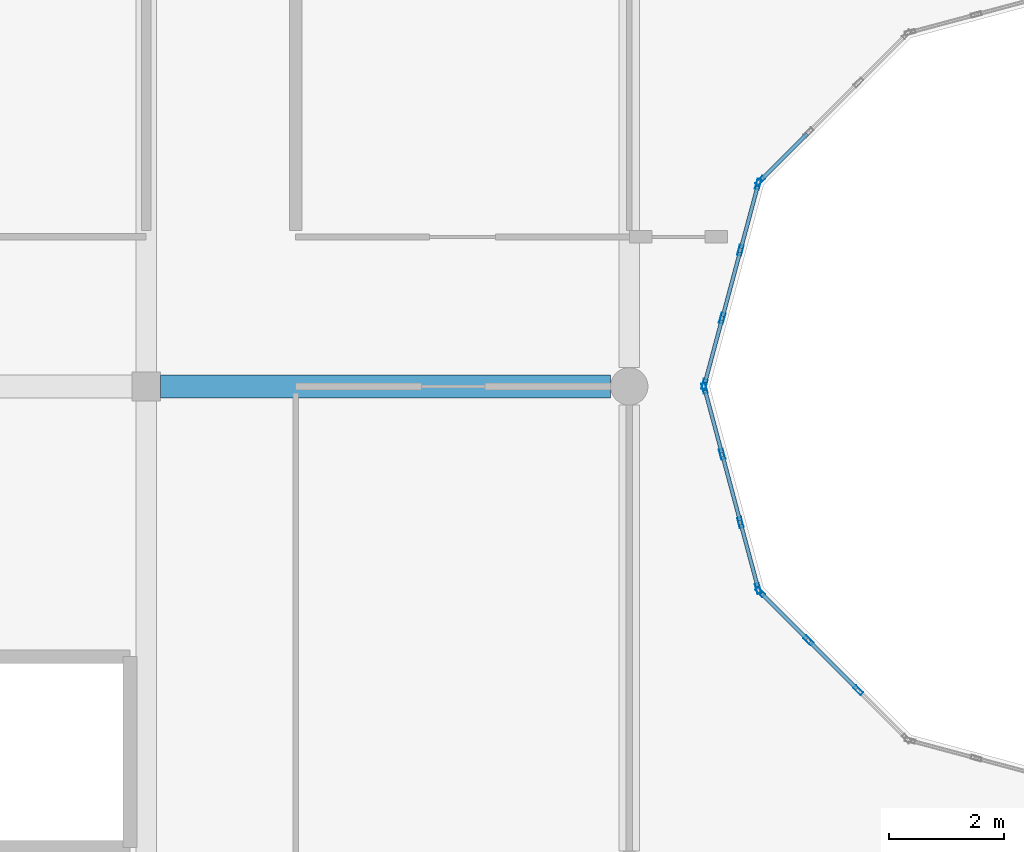
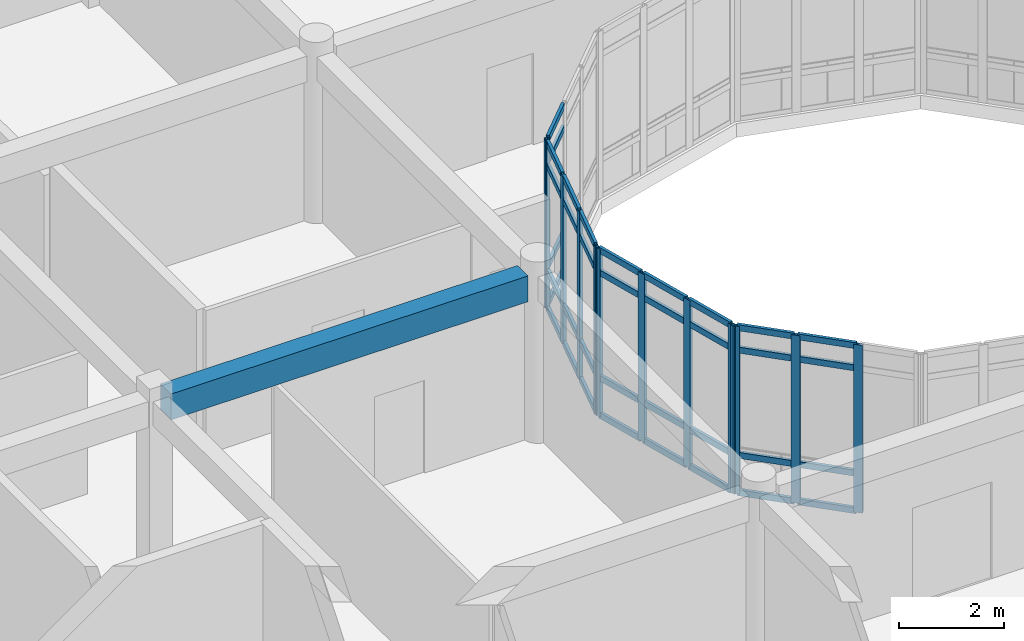
# One storey, part 30 of 119: 48 members, 1 beam, 4 elements without a shape of their own.
"""IFC4 building model written with IfcOpenShell, lengths in metres."""

from ifc_helpers import new_model, si_unit, direction, frame, origin, origin_2d, place, context, subcontext, project, spatial, rectangle, hollow_rectangle, extrude, material, layer, layer_set, material_profile, profile_set, type_object, element, aggregate, save


model = new_model("IFC4")

# Units and contexts
model_context = context("Model", 3, precision=1e-05, world=origin(), true_north=direction((0.0, 1.0)))
body_context = subcontext(model_context, "Body", "Model", "MODEL_VIEW")
ifc_project = project(units=[si_unit("LENGTHUNIT", "METRE"), si_unit("AREAUNIT", "SQUARE_METRE"), si_unit("VOLUMEUNIT", "CUBIC_METRE"), si_unit("PLANEANGLEUNIT", "RADIAN"), si_unit("MASSUNIT", "GRAM", prefix="KILO")], contexts=[model_context])

# Site, building, storey
site_placement = place(None, origin())
site = spatial("IfcSite", under=ifc_project, at=site_placement, CompositionType="ELEMENT")
building_placement = place(site_placement, origin())
building = spatial("IfcBuilding", under=site, at=building_placement, Name="Bramfleet General Hospital", CompositionType="ELEMENT")
storey_placement = place(building_placement, frame((0.0, 0.0, 14.39990234375)))
storey = spatial("IfcBuildingStorey", under=building, at=storey_placement, Name="L03", CompositionType="ELEMENT", Elevation=14.39990234375)

# Beam
ifc_material_1 = material(Name="Concrete C35/45", Category="concrete")
ifc_material_profile_1 = material_profile(ifc_material_1, rectangle(XDim=0.39990234375, YDim=0.60009765625, at=origin_2d()), Name="RC BM 600x400")
ifc_profile_set_1 = profile_set([ifc_material_profile_1], Name="Concrete C35/45")
beam_type = type_object("IfcBeamType", Name="BM-RC600", PredefinedType="BEAM", material=ifc_profile_set_1)
beam_placement = place(storey_placement, frame((67.449951171875, 75.60009765625, 3.590087890625), z_axis=(1.0, 0.0, 0.0), x_axis=(0.0, 1.0, 0.0)))
element("IfcBeam", 1, at=beam_placement, inside=storey, type_object=beam_type, Name="L03 Grid Beam X 08-09", PredefinedType="BEAM", context=body_context, shape_type="SweptSolid", body=[
    extrude(rectangle(XDim=0.39990234375, YDim=0.60009765625, at=origin_2d()), origin(), (0.0, 0.0, 1.0), 7.824951171875),
])

# Curtain wall, members
ifc_material_2 = material(Name="Anodised aluminium and low-E triple glazing", Category="aluminium")
ifc_layer_1 = layer(ifc_material_2, 0.179931640625, Name="CWT-CW-13")
ifc_layer_set_1 = layer_set([ifc_layer_1], Name="Anodised aluminium and low-E triple glazing")
curtain_wall_type_1 = type_object("IfcCurtainWallType", Name="CWT-CW-13", PredefinedType="USERDEFINED", material=ifc_layer_set_1)
curtain_wall_1_placement = place(storey_placement, origin())
curtain_wall_1 = element("IfcCurtainWall", 2, at=curtain_wall_1_placement, inside=storey, type_object=curtain_wall_type_1, Name="L03 Central Diagnostic Light Court Curtain Wall 1.1", ObjectType="Stick curtain wall", PredefinedType="USERDEFINED")
ifc_material_3 = material(Name="Anodised aluminium EN AW-6060", Category="aluminium")
ifc_material_profile_2 = material_profile(ifc_material_3, hollow_rectangle(XDim=0.070068359375, YDim=0.179931640625, WallThickness=0.00390625, at=origin_2d()), Name="ALU 180x70x4.0")
ifc_profile_set_2 = profile_set([ifc_material_profile_2], Name="Anodised aluminium EN AW-6060")
member_type_1 = type_object("IfcMemberType", Name="CWM-ALU180", PredefinedType="MULLION", material=ifc_profile_set_2)
member_1_placement = place(storey_placement, frame((76.908935546875, 75.566162109375, 0.0), z_axis=(0.0, 0.0, 1.0), x_axis=(0.965940765005, 0.258763286618, 0.0)))
member_1 = element("IfcMember", 3, at=member_1_placement, type_object=member_type_1, Name="CW-13 mullion 1", PredefinedType="MULLION", context=body_context, shape_type="SweptSolid", body=[
    extrude(hollow_rectangle(XDim=0.070068359375, YDim=0.179931640625, WallThickness=0.00390625, at=origin_2d()), origin(), (0.0, 0.0, 1.0), 3.89013671875),
])
member_2_placement = place(storey_placement, frame((77.217041015625, 74.416748046875, 0.0), z_axis=(0.0, 0.0, 1.0), x_axis=(0.965940765005, 0.258763286618, 0.0)))
member_2 = element("IfcMember", 4, at=member_2_placement, type_object=member_type_1, Name="CW-13 mullion 2", PredefinedType="MULLION", context=body_context, shape_type="SweptSolid", body=[
    extrude(hollow_rectangle(XDim=0.070068359375, YDim=0.179931640625, WallThickness=0.00390625, at=origin_2d()), origin(), (0.0, 0.0, 1.0), 3.89013671875),
])
member_3_placement = place(storey_placement, frame((77.533935546875, 73.2333984375, 0.0), z_axis=(0.0, 0.0, 1.0), x_axis=(0.965940765005, 0.258763286618, 0.0)))
member_3 = element("IfcMember", 5, at=member_3_placement, type_object=member_type_1, Name="CW-13 mullion 3", PredefinedType="MULLION", context=body_context, shape_type="SweptSolid", body=[
    extrude(hollow_rectangle(XDim=0.070068359375, YDim=0.179931640625, WallThickness=0.00390625, at=origin_2d()), origin(), (0.0, 0.0, 1.0), 3.89013671875),
])
member_4_placement = place(storey_placement, frame((77.842041015625, 72.083740234375, 0.0), z_axis=(0.0, 0.0, 1.0), x_axis=(0.965940765005, 0.258763286618, 0.0)))
member_4 = element("IfcMember", 6, at=member_4_placement, type_object=member_type_1, Name="CW-13 mullion 4", PredefinedType="MULLION", context=body_context, shape_type="SweptSolid", body=[
    extrude(hollow_rectangle(XDim=0.070068359375, YDim=0.179931640625, WallThickness=0.00390625, at=origin_2d()), origin(), (0.0, 0.0, 1.0), 3.89013671875),
])

ifc_layer_2 = layer(ifc_material_2, 0.179931640625, Name="CWT-CW-14")
ifc_layer_set_2 = layer_set([ifc_layer_2], Name="Anodised aluminium and low-E triple glazing")
curtain_wall_type_2 = type_object("IfcCurtainWallType", Name="CWT-CW-14", PredefinedType="USERDEFINED", material=ifc_layer_set_2)
curtain_wall_2_placement = place(storey_placement, origin())
curtain_wall_2 = element("IfcCurtainWall", 7, at=curtain_wall_2_placement, inside=storey, type_object=curtain_wall_type_2, Name="L03 Central Diagnostic Light Court Curtain Wall 2.1", ObjectType="Stick curtain wall", PredefinedType="USERDEFINED")
member_5_placement = place(storey_placement, frame((77.875732421875, 72.025146484375, 0.0), z_axis=(0.0, 0.0, 1.0), x_axis=(0.707106781187, 0.707106781187, 0.0)))
member_5 = element("IfcMember", 8, at=member_5_placement, type_object=member_type_1, Name="CW-14 mullion 1", PredefinedType="MULLION", context=body_context, shape_type="SweptSolid", body=[
    extrude(hollow_rectangle(XDim=0.070068359375, YDim=0.179931640625, WallThickness=0.00390625, at=origin_2d()), origin(), (0.0, 0.0, 1.0), 3.89013671875),
])
member_6_placement = place(storey_placement, frame((78.71728515625, 71.18359375, 0.0), z_axis=(0.0, 0.0, 1.0), x_axis=(0.707106781187, 0.707106781187, 0.0)))
member_6 = element("IfcMember", 9, at=member_6_placement, type_object=member_type_1, Name="CW-14 mullion 2", PredefinedType="MULLION", context=body_context, shape_type="SweptSolid", body=[
    extrude(hollow_rectangle(XDim=0.070068359375, YDim=0.179931640625, WallThickness=0.00390625, at=origin_2d()), origin(), (0.0, 0.0, 1.0), 3.89013671875),
])
member_7_placement = place(storey_placement, frame((79.583740234375, 70.3173828125, 0.0), z_axis=(0.0, 0.0, 1.0), x_axis=(0.707106781187, 0.707106781187, 0.0)))
member_7 = element("IfcMember", 10, at=member_7_placement, type_object=member_type_1, Name="CW-14 mullion 3", PredefinedType="MULLION", context=body_context, shape_type="SweptSolid", body=[
    extrude(hollow_rectangle(XDim=0.070068359375, YDim=0.179931640625, WallThickness=0.00390625, at=origin_2d()), origin(), (0.0, 0.0, 1.0), 3.89013671875),
])

# Curtain wall, member
ifc_layer_3 = layer(ifc_material_2, 0.179931640625, Name="CWT-CW-15")
ifc_layer_set_3 = layer_set([ifc_layer_3], Name="Anodised aluminium and low-E triple glazing")
curtain_wall_type_3 = type_object("IfcCurtainWallType", Name="CWT-CW-15", PredefinedType="USERDEFINED", material=ifc_layer_set_3)
curtain_wall_3_placement = place(storey_placement, origin())
curtain_wall_3 = element("IfcCurtainWall", 11, at=curtain_wall_3_placement, inside=storey, type_object=curtain_wall_type_3, Name="L03 Central Diagnostic Light Court Curtain Wall 11.1", ObjectType="Stick curtain wall", PredefinedType="USERDEFINED")
member_8_placement = place(storey_placement, frame((77.875732421875, 79.1748046875, 0.0), z_axis=(0.0, 0.0, 1.0), x_axis=(0.707106781187, -0.707106781187, 0.0)))
member_8 = element("IfcMember", 12, at=member_8_placement, type_object=member_type_1, Name="CW-15 mullion 4", PredefinedType="MULLION", context=body_context, shape_type="SweptSolid", body=[
    extrude(hollow_rectangle(XDim=0.070068359375, YDim=0.179931640625, WallThickness=0.00390625, at=origin_2d()), origin(), (0.0, 0.0, 1.0), 3.89013671875),
])

# Curtain wall, members
ifc_layer_4 = layer(ifc_material_2, 0.179931640625, Name="CWT-CW-16")
ifc_layer_set_4 = layer_set([ifc_layer_4], Name="Anodised aluminium and low-E triple glazing")
curtain_wall_type_4 = type_object("IfcCurtainWallType", Name="CWT-CW-16", PredefinedType="USERDEFINED", material=ifc_layer_set_4)
curtain_wall_4_placement = place(storey_placement, origin())
curtain_wall_4 = element("IfcCurtainWall", 13, at=curtain_wall_4_placement, inside=storey, type_object=curtain_wall_type_4, Name="L03 Central Diagnostic Light Court Curtain Wall 12.1", ObjectType="Stick curtain wall", PredefinedType="USERDEFINED")
member_9_placement = place(storey_placement, frame((77.842041015625, 79.1162109375, 0.0), z_axis=(0.0, 0.0, 1.0), x_axis=(0.965940765005, -0.258763286618, 0.0)))
member_9 = element("IfcMember", 14, at=member_9_placement, type_object=member_type_1, Name="CW-16 mullion 1", PredefinedType="MULLION", context=body_context, shape_type="SweptSolid", body=[
    extrude(hollow_rectangle(XDim=0.070068359375, YDim=0.179931640625, WallThickness=0.00390625, at=origin_2d()), origin(), (0.0, 0.0, 1.0), 3.89013671875),
])
member_10_placement = place(storey_placement, frame((77.533935546875, 77.966552734375, 0.0), z_axis=(0.0, 0.0, 1.0), x_axis=(0.965940765005, -0.258763286618, 0.0)))
member_10 = element("IfcMember", 15, at=member_10_placement, type_object=member_type_1, Name="CW-16 mullion 2", PredefinedType="MULLION", context=body_context, shape_type="SweptSolid", body=[
    extrude(hollow_rectangle(XDim=0.070068359375, YDim=0.179931640625, WallThickness=0.00390625, at=origin_2d()), origin(), (0.0, 0.0, 1.0), 3.89013671875),
])
member_11_placement = place(storey_placement, frame((77.217041015625, 76.783447265625, 0.0), z_axis=(0.0, 0.0, 1.0), x_axis=(0.965940765005, -0.258763286618, 0.0)))
member_11 = element("IfcMember", 16, at=member_11_placement, type_object=member_type_1, Name="CW-16 mullion 3", PredefinedType="MULLION", context=body_context, shape_type="SweptSolid", body=[
    extrude(hollow_rectangle(XDim=0.070068359375, YDim=0.179931640625, WallThickness=0.00390625, at=origin_2d()), origin(), (0.0, 0.0, 1.0), 3.89013671875),
])
member_12_placement = place(storey_placement, frame((76.908935546875, 75.6337890625, 0.0), z_axis=(0.0, 0.0, 1.0), x_axis=(0.965940765005, -0.258763286618, 0.0)))
member_12 = element("IfcMember", 17, at=member_12_placement, type_object=member_type_1, Name="CW-16 mullion 4", PredefinedType="MULLION", context=body_context, shape_type="SweptSolid", body=[
    extrude(hollow_rectangle(XDim=0.070068359375, YDim=0.179931640625, WallThickness=0.00390625, at=origin_2d()), origin(), (0.0, 0.0, 1.0), 3.89013671875),
])

# Member
ifc_material_profile_3 = material_profile(ifc_material_3, hollow_rectangle(XDim=0.06494140625, YDim=0.139892578125, WallThickness=0.00390625, at=origin_2d()), Name="ALU 140x65x4.0")
ifc_profile_set_3 = profile_set([ifc_material_profile_3], Name="Anodised aluminium EN AW-6060")
member_type_2 = type_object("IfcMemberType", Name="CWT-ALU140", PredefinedType="USERDEFINED", material=ifc_profile_set_3)
member_13_placement = place(storey_placement, frame((76.918212890625, 75.532470703125, 0.03271484375), z_axis=(0.25870703371, -0.965955832691, 0.0), x_axis=(0.965955832691, 0.25870703371, 0.0)))
member_13 = element("IfcMember", 18, at=member_13_placement, type_object=member_type_2, Name="CW-13 transom 1.1", ObjectType="TRANSOM", PredefinedType="USERDEFINED", context=body_context, shape_type="SweptSolid", body=[
    extrude(hollow_rectangle(XDim=0.06494140625, YDim=0.139892578125, WallThickness=0.00390625, at=origin_2d()), origin(), (0.0, 0.0, 1.0), 1.1201171875),
])

member_14_placement = place(storey_placement, frame((76.918212890625, 75.532470703125, 0.900146484375), z_axis=(0.25870703371, -0.965955832691, 0.0), x_axis=(0.965955832691, 0.25870703371, 0.0)))
member_14 = element("IfcMember", 19, at=member_14_placement, type_object=member_type_2, Name="CW-13 transom 1.2", ObjectType="TRANSOM", PredefinedType="USERDEFINED", context=body_context, shape_type="SweptSolid", body=[
    extrude(hollow_rectangle(XDim=0.06494140625, YDim=0.139892578125, WallThickness=0.00390625, at=origin_2d()), origin(), (0.0, 0.0, 1.0), 1.1201171875),
])

member_15_placement = place(storey_placement, frame((76.918212890625, 75.532470703125, 3.340087890625), z_axis=(0.25870703371, -0.965955832691, 0.0), x_axis=(0.965955832691, 0.25870703371, 0.0)))
member_15 = element("IfcMember", 20, at=member_15_placement, type_object=member_type_2, Name="CW-13 transom 1.3", ObjectType="TRANSOM", PredefinedType="USERDEFINED", context=body_context, shape_type="SweptSolid", body=[
    extrude(hollow_rectangle(XDim=0.06494140625, YDim=0.139892578125, WallThickness=0.00390625, at=origin_2d()), origin(), (0.0, 0.0, 1.0), 1.1201171875),
])

member_16_placement = place(storey_placement, frame((76.918212890625, 75.532470703125, 3.857666015625), z_axis=(0.25870703371, -0.965955832691, 0.0), x_axis=(0.965955832691, 0.25870703371, 0.0)))
member_16 = element("IfcMember", 21, at=member_16_placement, type_object=member_type_2, Name="CW-13 transom 1.4", ObjectType="TRANSOM", PredefinedType="USERDEFINED", context=body_context, shape_type="SweptSolid", body=[
    extrude(hollow_rectangle(XDim=0.06494140625, YDim=0.139892578125, WallThickness=0.00390625, at=origin_2d()), origin(), (0.0, 0.0, 1.0), 1.1201171875),
])

member_17_placement = place(storey_placement, frame((77.22607421875, 74.3828125, 0.03271484375), z_axis=(0.258714954608, -0.965953711242, 0.0), x_axis=(0.965953711242, 0.258714954608, 0.0)))
member_17 = element("IfcMember", 22, at=member_17_placement, type_object=member_type_2, Name="CW-13 transom 2.1", ObjectType="TRANSOM", PredefinedType="USERDEFINED", context=body_context, shape_type="SweptSolid", body=[
    extrude(hollow_rectangle(XDim=0.06494140625, YDim=0.139892578125, WallThickness=0.00390625, at=origin_2d()), origin(), (0.0, 0.0, 1.0), 1.155029296875),
])

member_18_placement = place(storey_placement, frame((77.22607421875, 74.3828125, 0.900146484375), z_axis=(0.258714954608, -0.965953711242, 0.0), x_axis=(0.965953711242, 0.258714954608, 0.0)))
member_18 = element("IfcMember", 23, at=member_18_placement, type_object=member_type_2, Name="CW-13 transom 2.2", ObjectType="TRANSOM", PredefinedType="USERDEFINED", context=body_context, shape_type="SweptSolid", body=[
    extrude(hollow_rectangle(XDim=0.06494140625, YDim=0.139892578125, WallThickness=0.00390625, at=origin_2d()), origin(), (0.0, 0.0, 1.0), 1.155029296875),
])

member_19_placement = place(storey_placement, frame((77.22607421875, 74.3828125, 3.340087890625), z_axis=(0.258714954608, -0.965953711242, 0.0), x_axis=(0.965953711242, 0.258714954608, 0.0)))
member_19 = element("IfcMember", 24, at=member_19_placement, type_object=member_type_2, Name="CW-13 transom 2.3", ObjectType="TRANSOM", PredefinedType="USERDEFINED", context=body_context, shape_type="SweptSolid", body=[
    extrude(hollow_rectangle(XDim=0.06494140625, YDim=0.139892578125, WallThickness=0.00390625, at=origin_2d()), origin(), (0.0, 0.0, 1.0), 1.155029296875),
])

member_20_placement = place(storey_placement, frame((77.22607421875, 74.3828125, 3.857666015625), z_axis=(0.258714954608, -0.965953711242, 0.0), x_axis=(0.965953711242, 0.258714954608, 0.0)))
member_20 = element("IfcMember", 25, at=member_20_placement, type_object=member_type_2, Name="CW-13 transom 2.4", ObjectType="TRANSOM", PredefinedType="USERDEFINED", context=body_context, shape_type="SweptSolid", body=[
    extrude(hollow_rectangle(XDim=0.06494140625, YDim=0.139892578125, WallThickness=0.00390625, at=origin_2d()), origin(), (0.0, 0.0, 1.0), 1.155029296875),
])

member_21_placement = place(storey_placement, frame((77.54296875, 73.199462890625, 0.03271484375), z_axis=(0.258964892978, -0.965886734667, 0.0), x_axis=(0.965886734667, 0.258964892978, 0.0)))
member_21 = element("IfcMember", 26, at=member_21_placement, type_object=member_type_2, Name="CW-13 transom 3.1", ObjectType="TRANSOM", PredefinedType="USERDEFINED", context=body_context, shape_type="SweptSolid", body=[
    extrude(hollow_rectangle(XDim=0.06494140625, YDim=0.139892578125, WallThickness=0.00390625, at=origin_2d()), origin(), (0.0, 0.0, 1.0), 1.119873046875),
])

member_22_placement = place(storey_placement, frame((77.54296875, 73.199462890625, 0.900146484375), z_axis=(0.258964892978, -0.965886734667, 0.0), x_axis=(0.965886734667, 0.258964892978, 0.0)))
member_22 = element("IfcMember", 27, at=member_22_placement, type_object=member_type_2, Name="CW-13 transom 3.2", ObjectType="TRANSOM", PredefinedType="USERDEFINED", context=body_context, shape_type="SweptSolid", body=[
    extrude(hollow_rectangle(XDim=0.06494140625, YDim=0.139892578125, WallThickness=0.00390625, at=origin_2d()), origin(), (0.0, 0.0, 1.0), 1.119873046875),
])

member_23_placement = place(storey_placement, frame((77.54296875, 73.199462890625, 3.340087890625), z_axis=(0.258964892978, -0.965886734667, 0.0), x_axis=(0.965886734667, 0.258964892978, 0.0)))
member_23 = element("IfcMember", 28, at=member_23_placement, type_object=member_type_2, Name="CW-13 transom 3.3", ObjectType="TRANSOM", PredefinedType="USERDEFINED", context=body_context, shape_type="SweptSolid", body=[
    extrude(hollow_rectangle(XDim=0.06494140625, YDim=0.139892578125, WallThickness=0.00390625, at=origin_2d()), origin(), (0.0, 0.0, 1.0), 1.119873046875),
])

member_24_placement = place(storey_placement, frame((77.54296875, 73.199462890625, 3.857666015625), z_axis=(0.258964892978, -0.965886734667, 0.0), x_axis=(0.965886734667, 0.258964892978, 0.0)))
member_24 = element("IfcMember", 29, at=member_24_placement, type_object=member_type_2, Name="CW-13 transom 3.4", ObjectType="TRANSOM", PredefinedType="USERDEFINED", context=body_context, shape_type="SweptSolid", body=[
    extrude(hollow_rectangle(XDim=0.06494140625, YDim=0.139892578125, WallThickness=0.00390625, at=origin_2d()), origin(), (0.0, 0.0, 1.0), 1.119873046875),
])

aggregate(curtain_wall_1, [member_1, member_2, member_3, member_4, member_13, member_14, member_15, member_16, member_17, member_18, member_19, member_20, member_21, member_22, member_23, member_24])

member_25_placement = place(storey_placement, frame((77.900390625, 72.00048828125, 0.03271484375), z_axis=(0.707215742858, -0.706997802722, 0.0), x_axis=(0.706997802722, 0.707215742858, 0.0)))
member_25 = element("IfcMember", 30, at=member_25_placement, type_object=member_type_2, Name="CW-14 transom 1.1", ObjectType="TRANSOM", PredefinedType="USERDEFINED", context=body_context, shape_type="SweptSolid", body=[
    extrude(hollow_rectangle(XDim=0.06494140625, YDim=0.139892578125, WallThickness=0.00390625, at=origin_2d()), origin(), (0.0, 0.0, 1.0), 1.1201171875),
])

member_26_placement = place(storey_placement, frame((77.900390625, 72.00048828125, 0.900146484375), z_axis=(0.707215742858, -0.706997802722, 0.0), x_axis=(0.706997802722, 0.707215742858, 0.0)))
member_26 = element("IfcMember", 31, at=member_26_placement, type_object=member_type_2, Name="CW-14 transom 1.2", ObjectType="TRANSOM", PredefinedType="USERDEFINED", context=body_context, shape_type="SweptSolid", body=[
    extrude(hollow_rectangle(XDim=0.06494140625, YDim=0.139892578125, WallThickness=0.00390625, at=origin_2d()), origin(), (0.0, 0.0, 1.0), 1.1201171875),
])

member_27_placement = place(storey_placement, frame((77.900390625, 72.00048828125, 3.340087890625), z_axis=(0.707215742858, -0.706997802722, 0.0), x_axis=(0.706997802722, 0.707215742858, 0.0)))
member_27 = element("IfcMember", 32, at=member_27_placement, type_object=member_type_2, Name="CW-14 transom 1.3", ObjectType="TRANSOM", PredefinedType="USERDEFINED", context=body_context, shape_type="SweptSolid", body=[
    extrude(hollow_rectangle(XDim=0.06494140625, YDim=0.139892578125, WallThickness=0.00390625, at=origin_2d()), origin(), (0.0, 0.0, 1.0), 1.1201171875),
])

member_28_placement = place(storey_placement, frame((77.900390625, 72.00048828125, 3.857666015625), z_axis=(0.707215742858, -0.706997802722, 0.0), x_axis=(0.706997802722, 0.707215742858, 0.0)))
member_28 = element("IfcMember", 33, at=member_28_placement, type_object=member_type_2, Name="CW-14 transom 1.4", ObjectType="TRANSOM", PredefinedType="USERDEFINED", context=body_context, shape_type="SweptSolid", body=[
    extrude(hollow_rectangle(XDim=0.06494140625, YDim=0.139892578125, WallThickness=0.00390625, at=origin_2d()), origin(), (0.0, 0.0, 1.0), 1.1201171875),
])

member_29_placement = place(storey_placement, frame((78.7421875, 71.158935546875, 0.03271484375), z_axis=(0.707001093006, -0.707212453572, 0.0), x_axis=(0.707212453572, 0.707001093006, 0.0)))
member_29 = element("IfcMember", 34, at=member_29_placement, type_object=member_type_2, Name="CW-14 transom 2.1", ObjectType="TRANSOM", PredefinedType="USERDEFINED", context=body_context, shape_type="SweptSolid", body=[
    extrude(hollow_rectangle(XDim=0.06494140625, YDim=0.139892578125, WallThickness=0.00390625, at=origin_2d()), origin(), (0.0, 0.0, 1.0), 1.155029296875),
])

member_30_placement = place(storey_placement, frame((78.7421875, 71.158935546875, 0.900146484375), z_axis=(0.707001093006, -0.707212453572, 0.0), x_axis=(0.707212453572, 0.707001093006, 0.0)))
member_30 = element("IfcMember", 35, at=member_30_placement, type_object=member_type_2, Name="CW-14 transom 2.2", ObjectType="TRANSOM", PredefinedType="USERDEFINED", context=body_context, shape_type="SweptSolid", body=[
    extrude(hollow_rectangle(XDim=0.06494140625, YDim=0.139892578125, WallThickness=0.00390625, at=origin_2d()), origin(), (0.0, 0.0, 1.0), 1.155029296875),
])

member_31_placement = place(storey_placement, frame((78.7421875, 71.158935546875, 3.340087890625), z_axis=(0.707001093006, -0.707212453572, 0.0), x_axis=(0.707212453572, 0.707001093006, 0.0)))
member_31 = element("IfcMember", 36, at=member_31_placement, type_object=member_type_2, Name="CW-14 transom 2.3", ObjectType="TRANSOM", PredefinedType="USERDEFINED", context=body_context, shape_type="SweptSolid", body=[
    extrude(hollow_rectangle(XDim=0.06494140625, YDim=0.139892578125, WallThickness=0.00390625, at=origin_2d()), origin(), (0.0, 0.0, 1.0), 1.155029296875),
])

member_32_placement = place(storey_placement, frame((78.7421875, 71.158935546875, 3.857666015625), z_axis=(0.707001093006, -0.707212453572, 0.0), x_axis=(0.707212453572, 0.707001093006, 0.0)))
member_32 = element("IfcMember", 37, at=member_32_placement, type_object=member_type_2, Name="CW-14 transom 2.4", ObjectType="TRANSOM", PredefinedType="USERDEFINED", context=body_context, shape_type="SweptSolid", body=[
    extrude(hollow_rectangle(XDim=0.06494140625, YDim=0.139892578125, WallThickness=0.00390625, at=origin_2d()), origin(), (0.0, 0.0, 1.0), 1.155029296875),
])

aggregate(curtain_wall_2, [member_5, member_6, member_7, member_25, member_26, member_27, member_28, member_29, member_30, member_31, member_32])

member_33_placement = place(storey_placement, frame((78.692626953125, 79.99169921875, 0.03271484375), z_axis=(-0.707106781187, -0.707106781187, 0.0), x_axis=(0.707106781187, -0.707106781187, 0.0)))
member_33 = element("IfcMember", 38, at=member_33_placement, type_object=member_type_2, Name="CW-15 transom 3.1", ObjectType="TRANSOM", PredefinedType="USERDEFINED", context=body_context, shape_type="SweptSolid", body=[
    extrude(hollow_rectangle(XDim=0.06494140625, YDim=0.139892578125, WallThickness=0.00390625, at=origin_2d()), origin(), (0.0, 0.0, 1.0), 1.120361328125),
])

member_34_placement = place(storey_placement, frame((78.692626953125, 79.99169921875, 0.900146484375), z_axis=(-0.707106781187, -0.707106781187, 0.0), x_axis=(0.707106781187, -0.707106781187, 0.0)))
member_34 = element("IfcMember", 39, at=member_34_placement, type_object=member_type_2, Name="CW-15 transom 3.2", ObjectType="TRANSOM", PredefinedType="USERDEFINED", context=body_context, shape_type="SweptSolid", body=[
    extrude(hollow_rectangle(XDim=0.06494140625, YDim=0.139892578125, WallThickness=0.00390625, at=origin_2d()), origin(), (0.0, 0.0, 1.0), 1.120361328125),
])

member_35_placement = place(storey_placement, frame((78.692626953125, 79.99169921875, 3.340087890625), z_axis=(-0.707106781187, -0.707106781187, 0.0), x_axis=(0.707106781187, -0.707106781187, 0.0)))
member_35 = element("IfcMember", 40, at=member_35_placement, type_object=member_type_2, Name="CW-15 transom 3.3", ObjectType="TRANSOM", PredefinedType="USERDEFINED", context=body_context, shape_type="SweptSolid", body=[
    extrude(hollow_rectangle(XDim=0.06494140625, YDim=0.139892578125, WallThickness=0.00390625, at=origin_2d()), origin(), (0.0, 0.0, 1.0), 1.120361328125),
])

member_36_placement = place(storey_placement, frame((78.692626953125, 79.99169921875, 3.857666015625), z_axis=(-0.707106781187, -0.707106781187, 0.0), x_axis=(0.707106781187, -0.707106781187, 0.0)))
member_36 = element("IfcMember", 41, at=member_36_placement, type_object=member_type_2, Name="CW-15 transom 3.4", ObjectType="TRANSOM", PredefinedType="USERDEFINED", context=body_context, shape_type="SweptSolid", body=[
    extrude(hollow_rectangle(XDim=0.06494140625, YDim=0.139892578125, WallThickness=0.00390625, at=origin_2d()), origin(), (0.0, 0.0, 1.0), 1.120361328125),
])

aggregate(curtain_wall_3, [member_8, member_33, member_34, member_35, member_36])

member_37_placement = place(storey_placement, frame((77.8330078125, 79.082275390625, 0.03271484375), z_axis=(-0.258964892978, -0.965886734667, 0.0), x_axis=(0.965886734667, -0.258964892978, 0.0)))
member_37 = element("IfcMember", 42, at=member_37_placement, type_object=member_type_2, Name="CW-16 transom 1.1", ObjectType="TRANSOM", PredefinedType="USERDEFINED", context=body_context, shape_type="SweptSolid", body=[
    extrude(hollow_rectangle(XDim=0.06494140625, YDim=0.139892578125, WallThickness=0.00390625, at=origin_2d()), origin(), (0.0, 0.0, 1.0), 1.119873046875),
])

member_38_placement = place(storey_placement, frame((77.8330078125, 79.082275390625, 0.900146484375), z_axis=(-0.258964892978, -0.965886734667, 0.0), x_axis=(0.965886734667, -0.258964892978, 0.0)))
member_38 = element("IfcMember", 43, at=member_38_placement, type_object=member_type_2, Name="CW-16 transom 1.2", ObjectType="TRANSOM", PredefinedType="USERDEFINED", context=body_context, shape_type="SweptSolid", body=[
    extrude(hollow_rectangle(XDim=0.06494140625, YDim=0.139892578125, WallThickness=0.00390625, at=origin_2d()), origin(), (0.0, 0.0, 1.0), 1.119873046875),
])

member_39_placement = place(storey_placement, frame((77.8330078125, 79.082275390625, 3.340087890625), z_axis=(-0.258964892978, -0.965886734667, 0.0), x_axis=(0.965886734667, -0.258964892978, 0.0)))
member_39 = element("IfcMember", 44, at=member_39_placement, type_object=member_type_2, Name="CW-16 transom 1.3", ObjectType="TRANSOM", PredefinedType="USERDEFINED", context=body_context, shape_type="SweptSolid", body=[
    extrude(hollow_rectangle(XDim=0.06494140625, YDim=0.139892578125, WallThickness=0.00390625, at=origin_2d()), origin(), (0.0, 0.0, 1.0), 1.119873046875),
])

member_40_placement = place(storey_placement, frame((77.8330078125, 79.082275390625, 3.857666015625), z_axis=(-0.258964892978, -0.965886734667, 0.0), x_axis=(0.965886734667, -0.258964892978, 0.0)))
member_40 = element("IfcMember", 45, at=member_40_placement, type_object=member_type_2, Name="CW-16 transom 1.4", ObjectType="TRANSOM", PredefinedType="USERDEFINED", context=body_context, shape_type="SweptSolid", body=[
    extrude(hollow_rectangle(XDim=0.06494140625, YDim=0.139892578125, WallThickness=0.00390625, at=origin_2d()), origin(), (0.0, 0.0, 1.0), 1.119873046875),
])

member_41_placement = place(storey_placement, frame((77.52490234375, 77.932861328125, 0.03271484375), z_axis=(-0.258714954608, -0.965953711242, 0.0), x_axis=(0.965953711242, -0.258714954608, 0.0)))
member_41 = element("IfcMember", 46, at=member_41_placement, type_object=member_type_2, Name="CW-16 transom 2.1", ObjectType="TRANSOM", PredefinedType="USERDEFINED", context=body_context, shape_type="SweptSolid", body=[
    extrude(hollow_rectangle(XDim=0.06494140625, YDim=0.139892578125, WallThickness=0.00390625, at=origin_2d()), origin(), (0.0, 0.0, 1.0), 1.155029296875),
])

member_42_placement = place(storey_placement, frame((77.52490234375, 77.932861328125, 0.900146484375), z_axis=(-0.258714954608, -0.965953711242, 0.0), x_axis=(0.965953711242, -0.258714954608, 0.0)))
member_42 = element("IfcMember", 47, at=member_42_placement, type_object=member_type_2, Name="CW-16 transom 2.2", ObjectType="TRANSOM", PredefinedType="USERDEFINED", context=body_context, shape_type="SweptSolid", body=[
    extrude(hollow_rectangle(XDim=0.06494140625, YDim=0.139892578125, WallThickness=0.00390625, at=origin_2d()), origin(), (0.0, 0.0, 1.0), 1.155029296875),
])

member_43_placement = place(storey_placement, frame((77.52490234375, 77.932861328125, 3.340087890625), z_axis=(-0.258714954608, -0.965953711242, 0.0), x_axis=(0.965953711242, -0.258714954608, 0.0)))
member_43 = element("IfcMember", 48, at=member_43_placement, type_object=member_type_2, Name="CW-16 transom 2.3", ObjectType="TRANSOM", PredefinedType="USERDEFINED", context=body_context, shape_type="SweptSolid", body=[
    extrude(hollow_rectangle(XDim=0.06494140625, YDim=0.139892578125, WallThickness=0.00390625, at=origin_2d()), origin(), (0.0, 0.0, 1.0), 1.155029296875),
])

member_44_placement = place(storey_placement, frame((77.52490234375, 77.932861328125, 3.857666015625), z_axis=(-0.258714954608, -0.965953711242, 0.0), x_axis=(0.965953711242, -0.258714954608, 0.0)))
member_44 = element("IfcMember", 49, at=member_44_placement, type_object=member_type_2, Name="CW-16 transom 2.4", ObjectType="TRANSOM", PredefinedType="USERDEFINED", context=body_context, shape_type="SweptSolid", body=[
    extrude(hollow_rectangle(XDim=0.06494140625, YDim=0.139892578125, WallThickness=0.00390625, at=origin_2d()), origin(), (0.0, 0.0, 1.0), 1.155029296875),
])

member_45_placement = place(storey_placement, frame((77.2080078125, 76.74951171875, 0.03271484375), z_axis=(-0.258761510459, -0.965941240814, 0.0), x_axis=(0.965941240814, -0.258761510459, 0.0)))
member_45 = element("IfcMember", 50, at=member_45_placement, type_object=member_type_2, Name="CW-16 transom 3.1", ObjectType="TRANSOM", PredefinedType="USERDEFINED", context=body_context, shape_type="SweptSolid", body=[
    extrude(hollow_rectangle(XDim=0.06494140625, YDim=0.139892578125, WallThickness=0.00390625, at=origin_2d()), origin(), (0.0, 0.0, 1.0), 1.119873046875),
])

member_46_placement = place(storey_placement, frame((77.2080078125, 76.74951171875, 0.900146484375), z_axis=(-0.258761510459, -0.965941240814, 0.0), x_axis=(0.965941240814, -0.258761510459, 0.0)))
member_46 = element("IfcMember", 51, at=member_46_placement, type_object=member_type_2, Name="CW-16 transom 3.2", ObjectType="TRANSOM", PredefinedType="USERDEFINED", context=body_context, shape_type="SweptSolid", body=[
    extrude(hollow_rectangle(XDim=0.06494140625, YDim=0.139892578125, WallThickness=0.00390625, at=origin_2d()), origin(), (0.0, 0.0, 1.0), 1.119873046875),
])

member_47_placement = place(storey_placement, frame((77.2080078125, 76.74951171875, 3.340087890625), z_axis=(-0.258761510459, -0.965941240814, 0.0), x_axis=(0.965941240814, -0.258761510459, 0.0)))
member_47 = element("IfcMember", 52, at=member_47_placement, type_object=member_type_2, Name="CW-16 transom 3.3", ObjectType="TRANSOM", PredefinedType="USERDEFINED", context=body_context, shape_type="SweptSolid", body=[
    extrude(hollow_rectangle(XDim=0.06494140625, YDim=0.139892578125, WallThickness=0.00390625, at=origin_2d()), origin(), (0.0, 0.0, 1.0), 1.119873046875),
])

member_48_placement = place(storey_placement, frame((77.2080078125, 76.74951171875, 3.857666015625), z_axis=(-0.258761510459, -0.965941240814, 0.0), x_axis=(0.965941240814, -0.258761510459, 0.0)))
member_48 = element("IfcMember", 53, at=member_48_placement, type_object=member_type_2, Name="CW-16 transom 3.4", ObjectType="TRANSOM", PredefinedType="USERDEFINED", context=body_context, shape_type="SweptSolid", body=[
    extrude(hollow_rectangle(XDim=0.06494140625, YDim=0.139892578125, WallThickness=0.00390625, at=origin_2d()), origin(), (0.0, 0.0, 1.0), 1.119873046875),
])

aggregate(curtain_wall_4, [member_9, member_10, member_11, member_12, member_37, member_38, member_39, member_40, member_41, member_42, member_43, member_44, member_45, member_46, member_47, member_48])

save(model, "model.ifc")
